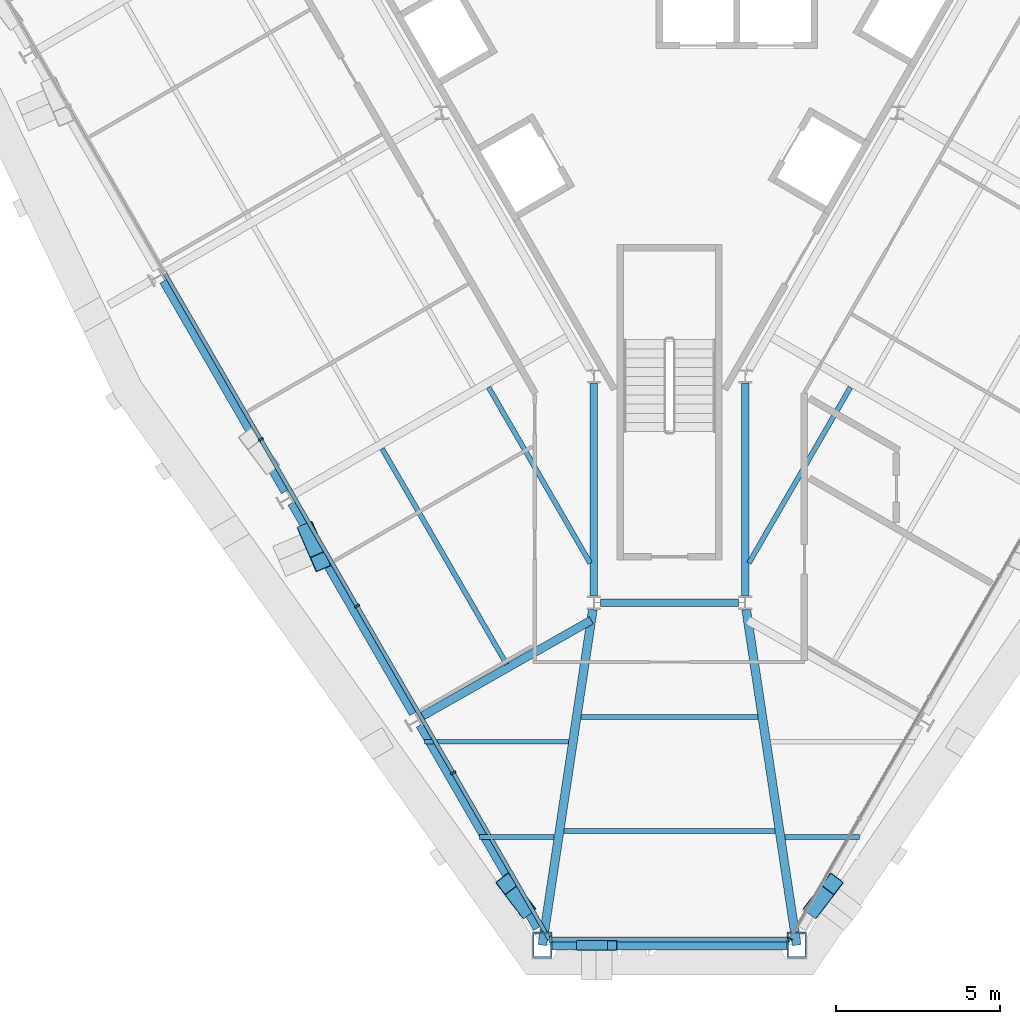
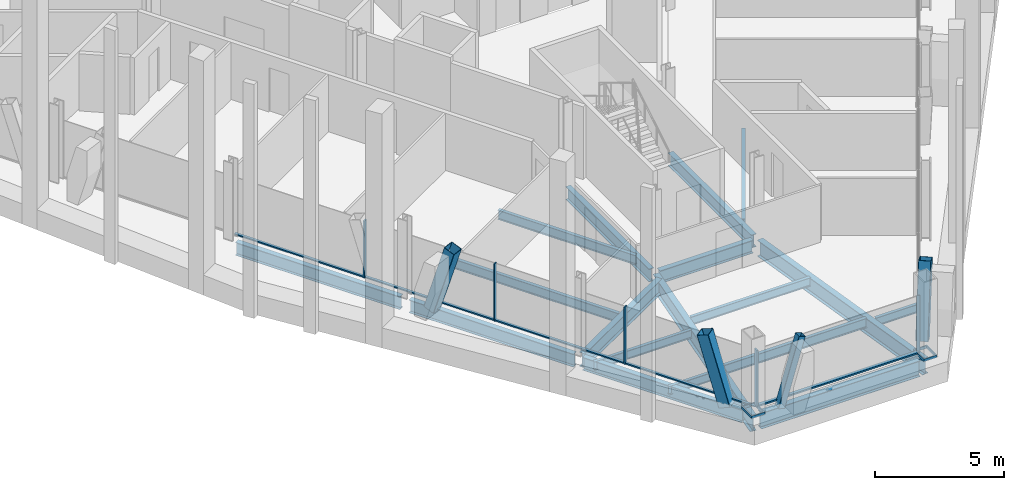
# One storey, part 3 of 17: 18 beams, 16 members, 3 elements without a shape of their own.
"""IFC4 building model written with IfcOpenShell, lengths in metres."""

import ifcopenshell
import ifcopenshell.guid

model = None  # the IFC model being written
_history = None  # IfcOwnerHistory: only IFC2X3 demands one
_inside = {}  # id of a spatial element -> (the spatial element, [elements in it])
_under = {}  # id of a project, library or spatial element -> (it, [spatial elements below it])
_declared = {}  # id of a project -> (the project, [libraries it declares])
_typed = {}  # id of a type object -> (the type object, [elements of that type])
_made_of = {}  # id of a material, layer set ... -> (it, [elements and type objects made of it])


def new_model(schema):
    """Start an empty IFC model of exactly this schema.

    Asked for "IFC4X3", IfcOpenShell would pick the latest addendum, in which some entities
    have other attributes; the version numbers below select the first issue.
    IFC2X3 requires an IfcOwnerHistory on every rooted entity: one is made here for all.
    """
    global model, _history
    if schema == "IFC4X3":
        model = ifcopenshell.file(schema_version=(4, 3, 0, 0))
    else:
        model = ifcopenshell.file(schema=schema)
    _inside.clear()
    _under.clear()
    _declared.clear()
    _typed.clear()
    _made_of.clear()
    _history = None
    if model.schema == "IFC2X3":
        org = make("IfcOrganization", Name="unknown")
        user = make(
            "IfcPersonAndOrganization",
            ThePerson=make("IfcPerson", FamilyName="unknown"),
            TheOrganization=org,
        )
        app = make(
            "IfcApplication",
            ApplicationDeveloper=org,
            Version="unknown",
            ApplicationFullName="unknown",
            ApplicationIdentifier="unknown",
        )
        _history = make(
            "IfcOwnerHistory",
            OwningUser=user,
            OwningApplication=app,
            ChangeAction="ADDED",
            CreationDate=0,
        )
    return model


def make(cls, **values):
    """One entity of the class cls with the attributes given. An attribute that is None is left unset."""
    return model.create_entity(
        cls, **{name: value for name, value in values.items() if value is not None}
    )


def rooted(cls, **values):
    """An entity with a GlobalId (a new one), such as an element, a storey or a relation."""
    return make(cls, GlobalId=ifcopenshell.guid.new(), OwnerHistory=_history, **values)


def si_unit(unit_type, name, prefix=None):
    """IfcSIUnit, for example si_unit("LENGTHUNIT", "METRE", prefix="MILLI")."""
    return make("IfcSIUnit", UnitType=unit_type, Prefix=prefix, Name=name)


def assignment(units):
    """IfcUnitAssignment: the units of a project."""
    return None if units is None else make("IfcUnitAssignment", Units=units)


def point(xyz):
    """IfcCartesianPoint."""
    return None if xyz is None else make("IfcCartesianPoint", Coordinates=xyz)


def direction(xyz):
    """IfcDirection."""
    return None if xyz is None else make("IfcDirection", DirectionRatios=xyz)


def frame(location, z_axis=None, x_axis=None):
    """IfcAxis2Placement3D, a coordinate frame: its origin and axes. An axis left out is left unset."""
    return make(
        "IfcAxis2Placement3D",
        Location=point(location),
        Axis=direction(z_axis),
        RefDirection=direction(x_axis),
    )


def frame_2d(location, x_axis=None):
    """IfcAxis2Placement2D, a coordinate frame in the plane: its origin and x axis."""
    return make(
        "IfcAxis2Placement2D", Location=point(location), RefDirection=direction(x_axis)
    )


def origin():
    """The frame at (0, 0, 0) with its axes left unset."""
    return frame((0.0, 0.0, 0.0))


def origin_2d():
    """The frame at (0, 0) in the plane with its x axis left unset."""
    return frame_2d((0.0, 0.0))


def place(relative_to, where):
    """IfcLocalPlacement: puts the frame where relative to a parent placement (None: the world)."""
    return make(
        "IfcLocalPlacement", PlacementRelTo=relative_to, RelativePlacement=where
    )


def context(
    kind, dimensions, precision=None, world=None, true_north=None, identifier=None
):
    """IfcGeometricRepresentationContext, for example the 3D "Model" context."""
    return make(
        "IfcGeometricRepresentationContext",
        ContextIdentifier=identifier,
        ContextType=kind,
        CoordinateSpaceDimension=dimensions,
        Precision=precision,
        WorldCoordinateSystem=world,
        TrueNorth=true_north,
    )


def subcontext(parent, identifier, kind, view, scale=None):
    """IfcGeometricRepresentationSubContext, for example "Body" below "Model"."""
    return make(
        "IfcGeometricRepresentationSubContext",
        ContextIdentifier=identifier,
        ContextType=kind,
        ParentContext=parent,
        TargetScale=scale,
        TargetView=view,
    )


def project(units=None, contexts=None):
    """IfcProject with its units and contexts."""
    return rooted(
        "IfcProject",
        Name="project",
        RepresentationContexts=contexts,
        UnitsInContext=assignment(units),
    )


def spatial(cls, under=None, at=None, **own):
    """A site, building, storey or space (cls), placed at a placement, below another one or the project."""
    s = rooted(cls, ObjectPlacement=at, **own)
    if under is not None:
        _under.setdefault(under.id(), (under, []))[1].append(s)
    return s


def profile(cls, at=None, kind="AREA", **sizes):
    """A parametric profile (cls). Its sizes go by their IFC names, for example OverallWidth=200.0."""
    return make(cls, ProfileType=kind, Position=at, **sizes)


def rectangle(**sizes):
    """IfcRectangleProfileDef."""
    return profile("IfcRectangleProfileDef", **sizes)


def hollow_rectangle(**sizes):
    """IfcRectangleHollowProfileDef."""
    return profile("IfcRectangleHollowProfileDef", **sizes)


def i_section(**sizes):
    """IfcIShapeProfileDef."""
    return profile("IfcIShapeProfileDef", **sizes)


def extrude(swept, where, along, depth):
    """IfcExtrudedAreaSolid: the profile swept, set in the frame where, extruded along a direction by depth."""
    return make(
        "IfcExtrudedAreaSolid",
        SweptArea=swept,
        Position=where,
        ExtrudedDirection=direction(along),
        Depth=depth,
    )


def shape(context_of_items, identifier, shape_type, items):
    """IfcShapeRepresentation: the items that make up one representation, for example the "Body"."""
    return make(
        "IfcShapeRepresentation",
        ContextOfItems=context_of_items,
        RepresentationIdentifier=identifier,
        RepresentationType=shape_type,
        Items=items,
    )


def material(Name=None, Category=None):
    """IfcMaterial."""
    return make("IfcMaterial", Name=Name, Category=Category)


def material_profile(
    of_material, cross_section, Name=None, Category=None, Priority=None
):
    """IfcMaterialProfile: a cross section and its material."""
    return make(
        "IfcMaterialProfile",
        Name=Name,
        Material=of_material,
        Profile=cross_section,
        Priority=Priority,
        Category=Category,
    )


def profile_set(profiles, Name=None, composite=None):
    """IfcMaterialProfileSet."""
    return make(
        "IfcMaterialProfileSet",
        Name=Name,
        MaterialProfiles=profiles,
        CompositeProfile=composite,
    )


def made_of(thing, what):
    """Note that an element or type object is made of a material, layer set ...; save() writes the relation."""
    if what is not None:
        _made_of.setdefault(what.id(), (what, []))[1].append(thing)
    return thing


def type_object(cls, material=None, **own):
    """A type object (cls), such as IfcWallType, which elements share."""
    return made_of(rooted(cls, **own), material)


def element(
    cls,
    number,
    at=None,
    inside=None,
    cuts=None,
    type_object=None,
    material=None,
    context=None,
    identifier="Body",
    shape_type=None,
    held_by="IfcProductDefinitionShape",
    body=None,
    shapes=None,
    **own,
):
    """One element of the class cls, such as IfcWall. Its Tag is "e" and its number.

    at: its placement. inside: the storey or other place that contains it. cuts: it is an
    opening in that element (IfcRelVoidsElement). A single representation is given by context,
    identifier, shape_type and body (its items); several are given by shapes. held_by: the class
    of the entity that holds the representations. save() writes the other relations.
    """
    e = rooted(cls, Tag="e%d" % number, ObjectPlacement=at, **own)
    if body is not None:
        shapes = [shape(context, identifier, shape_type, body)]
    if shapes is not None:
        e.Representation = make(held_by, Representations=shapes)
    if inside is not None:
        _inside.setdefault(inside.id(), (inside, []))[1].append(e)
    if cuts is not None:
        rooted(
            "IfcRelVoidsElement", RelatingBuildingElement=cuts, RelatedOpeningElement=e
        )
    if type_object is not None:
        _typed.setdefault(type_object.id(), (type_object, []))[1].append(e)
    return made_of(e, material)


def aggregate(whole, parts):
    """IfcRelAggregates: a whole, such as a stair, and the parts it consists of."""
    return rooted("IfcRelAggregates", RelatingObject=whole, RelatedObjects=parts)


def save(model, path):
    """Write the relations noted so far, then the file.

    IfcRelAggregates (storeys below a building ...), IfcRelContainedInSpatialStructure (elements
    in a storey), IfcRelDefinesByType, IfcRelAssociatesMaterial and IfcRelDeclares: one each for
    every whole, place, type object, material and project.
    """
    for whole, parts in _under.values():
        aggregate(whole, parts)
    for where, things in _inside.values():
        rooted(
            "IfcRelContainedInSpatialStructure",
            RelatedElements=things,
            RelatingStructure=where,
        )
    for kind, things in _typed.values():
        rooted("IfcRelDefinesByType", RelatedObjects=things, RelatingType=kind)
    for what, things in _made_of.values():
        rooted("IfcRelAssociatesMaterial", RelatedObjects=things, RelatingMaterial=what)
    for by, libraries in _declared.values():
        rooted("IfcRelDeclares", RelatingContext=by, RelatedDefinitions=libraries)
    model.write(path)


model = new_model("IFC4")

# Units and contexts
model_context = context("Model", 3, precision=1e-05, world=origin(), true_north=direction((0.0, 1.0)))
body_context = subcontext(model_context, "Body", "Model", "MODEL_VIEW")
ifc_project = project(units=[si_unit("LENGTHUNIT", "METRE"), si_unit("AREAUNIT", "SQUARE_METRE"), si_unit("VOLUMEUNIT", "CUBIC_METRE"), si_unit("PLANEANGLEUNIT", "RADIAN"), si_unit("MASSUNIT", "GRAM", prefix="KILO")], contexts=[model_context])

# Site, building, storey
site_placement = place(None, origin())
site = spatial("IfcSite", under=ifc_project, at=site_placement, CompositionType="ELEMENT")
building_placement = place(site_placement, origin())
building = spatial("IfcBuilding", under=site, at=building_placement, Name="Verrane Prism Tower", CompositionType="ELEMENT")
storey_placement = place(building_placement, frame((0.0, 0.0, 178.39990234375)))
storey = spatial("IfcBuildingStorey", under=building, at=storey_placement, Name="L44", CompositionType="ELEMENT", Elevation=178.39990234375)

# Member
ifc_material_1 = material(Name="Steel A500 Grade C", Category="steel")
ifc_material_profile_1 = material_profile(ifc_material_1, hollow_rectangle(XDim=0.3046875, YDim=0.3046875, WallThickness=0.0126953125, InnerFilletRadius=0.00634765625, OuterFilletRadius=0.01904296875, at=origin_2d()), Name="HSS12x12x1/2")
ifc_profile_set_1 = profile_set([ifc_material_profile_1], Name="Steel A500 Grade C")
member_type_1 = type_object("IfcMemberType", Name="Chamfer brace HSS12x12x1/2", PredefinedType="BRACE", material=ifc_profile_set_1)
member_1_placement = place(storey_placement, frame((-2.67578125, -29.320068359375, -0.242431640625), z_axis=(0.286291300619, 0.0, 0.958142625704), x_axis=(0.0, 1.0, 0.0)))
element("IfcMember", 1, at=member_1_placement, inside=storey, type_object=member_type_1, Name="Chamfer brace S0 L44", PredefinedType="BRACE", context=body_context, shape_type="SweptSolid", body=[
    extrude(hollow_rectangle(XDim=0.3046875, YDim=0.3046875, WallThickness=0.0126953125, InnerFilletRadius=0.00634765625, OuterFilletRadius=0.01904296875, at=origin_2d()), origin(), (0.0, 0.0, 1.0), 3.243896484375),
])

# Beams
ifc_material_2 = material(Name="Steel A992", Category="steel")
ifc_material_profile_2 = material_profile(ifc_material_2, i_section(OverallWidth=0.2666015625, OverallDepth=0.7568359375, WebThickness=0.013916015625, FlangeThickness=0.019287109375, FilletRadius=0.0166015625, at=origin_2d()), Name="W30x108")
ifc_profile_set_2 = profile_set([ifc_material_profile_2], Name="Steel A992")
beam_type_1 = type_object("IfcBeamType", Name="Chamfer spandrel beam W30x108", PredefinedType="SPANDREL", material=ifc_profile_set_2)
beam_1_placement = place(storey_placement, frame((-3.570068359375, -29.320068359375, -0.538330078125), z_axis=(1.0, 0.0, 0.0), x_axis=(0.0, 1.0, 0.0)))
element("IfcBeam", 2, at=beam_1_placement, inside=storey, type_object=beam_type_1, Name="Chamfer spandrel beam L44", PredefinedType="SPANDREL", context=body_context, shape_type="SweptSolid", body=[
    extrude(i_section(OverallWidth=0.2666015625, OverallDepth=0.7568359375, WebThickness=0.013916015625, FlangeThickness=0.019287109375, FilletRadius=0.0166015625, at=origin_2d()), origin(), (0.0, 0.0, 1.0), 7.14013671875),
])
ifc_material_3 = material(Name="Steel A992", Category="steel")
ifc_material_profile_3 = material_profile(ifc_material_3, i_section(OverallWidth=0.23046875, OverallDepth=0.6171875, WebThickness=0.01318359375, FlangeThickness=0.022216796875, FilletRadius=0.012939453125, at=origin_2d()), Name="W24x94")
ifc_profile_set_3 = profile_set([ifc_material_profile_3], Name="Steel A992")
beam_type_2 = type_object("IfcBeamType", Name="Core ring girder W24x94", PredefinedType="BEAM", material=ifc_profile_set_3)
beam_2_placement = place(storey_placement, frame((-2.300048828125, -12.219482421875, -0.55859375), z_axis=(0.0, -1.0, 0.0), x_axis=(1.0, 0.0, 0.0)))
element("IfcBeam", 3, at=beam_2_placement, inside=storey, type_object=beam_type_2, Name="Core ring girder L44", PredefinedType="BEAM", context=body_context, shape_type="SweptSolid", body=[
    extrude(i_section(OverallWidth=0.23046875, OverallDepth=0.6171875, WebThickness=0.01318359375, FlangeThickness=0.022216796875, FilletRadius=0.012939453125, at=origin_2d()), origin(), (0.0, 0.0, 1.0), 6.47216796875),
])
beam_3_placement = place(storey_placement, frame((-2.0966796875, -18.89990234375, -0.55859375), z_axis=(1.0, 0.0, 0.0), x_axis=(0.0, 1.0, 0.0)))
element("IfcBeam", 4, at=beam_3_placement, inside=storey, type_object=beam_type_2, Name="Core ring girder L44", PredefinedType="BEAM", context=body_context, shape_type="SweptSolid", body=[
    extrude(i_section(OverallWidth=0.23046875, OverallDepth=0.6171875, WebThickness=0.01318359375, FlangeThickness=0.022216796875, FilletRadius=0.012939453125, at=origin_2d()), origin(), (0.0, 0.0, 1.0), 4.193359375),
])
beam_4_placement = place(storey_placement, frame((2.300048828125, -18.691650390625, -0.55859375), z_axis=(0.0, 1.0, 0.0), x_axis=(-1.0, 0.0, 0.0)))
element("IfcBeam", 5, at=beam_4_placement, inside=storey, type_object=beam_type_2, Name="Core ring girder L44", PredefinedType="BEAM", context=body_context, shape_type="SweptSolid", body=[
    extrude(i_section(OverallWidth=0.23046875, OverallDepth=0.6171875, WebThickness=0.01318359375, FlangeThickness=0.022216796875, FilletRadius=0.012939453125, at=origin_2d()), origin(), (0.0, 0.0, 1.0), 6.47216796875),
])
ifc_material_4 = material(Name="Steel A992", Category="steel")
ifc_material_profile_4 = material_profile(ifc_material_4, i_section(OverallWidth=0.2666015625, OverallDepth=0.76708984375, WebThickness=0.014892578125, FlangeThickness=0.023681640625, FilletRadius=0.0166015625, at=origin_2d()), Name="W30x124")
ifc_profile_set_4 = profile_set([ifc_material_profile_4], Name="Steel A992")
beam_type_3 = type_object("IfcBeamType", Name="Corner girder W30x124", PredefinedType="BEAM", material=ifc_profile_set_4)
for number, where, z_axis, x_axis, name in (
    (6, (-3.869384765625, -29.315185546875, -0.603515625), (0.149010088195, 0.98883567574, 0.0), (-0.98883567574, 0.149010088195, 0.0), "Corner girder L44"),
    (7, (3.869384765625, -29.315185546875, -0.603515625), (-0.149010088195, 0.98883567574, 0.0), (-0.98883567574, -0.149010088195, 0.0), "Corner girder L44"),
):
    element("IfcBeam", number, at=place(storey_placement, frame(where, z_axis=z_axis, x_axis=x_axis)), inside=storey, type_object=beam_type_3, Name=name, PredefinedType="BEAM", context=body_context, shape_type="SweptSolid", body=[
        extrude(i_section(OverallWidth=0.2666015625, OverallDepth=0.76708984375, WebThickness=0.014892578125, FlangeThickness=0.023681640625, FilletRadius=0.0166015625, at=origin_2d()), origin(), (0.0, 0.0, 1.0), 10.322021484375),
    ])

# Members
ifc_material_5 = material(Name="Steel A500 Grade C", Category="steel")
ifc_material_profile_5 = material_profile(ifc_material_5, hollow_rectangle(XDim=0.508056640625, YDim=0.508056640625, WallThickness=0.01904296875, InnerFilletRadius=0.009521484375, OuterFilletRadius=0.028564453125, at=origin_2d()), Name="HSS20x20x3/4")
ifc_profile_set_5 = profile_set([ifc_material_profile_5], Name="Steel A500 Grade C")
member_type_2 = type_object("IfcMemberType", Name="Facade brace HSS20x20x3/4", PredefinedType="BRACE", material=ifc_profile_set_5)
member_2_placement = place(storey_placement, frame((-11.005126953125, -16.734130859375, -0.216552734375), z_axis=(0.117509964597, -0.272731072395, 0.954886993508), x_axis=(0.918381033601, 0.395697203833, 0.0)))
element("IfcMember", 8, at=member_2_placement, inside=storey, type_object=member_type_2, Name="Facade brace SW4 L44", PredefinedType="BRACE", context=body_context, shape_type="SweptSolid", body=[
    extrude(hollow_rectangle(XDim=0.508056640625, YDim=0.508056640625, WallThickness=0.01904296875, InnerFilletRadius=0.009521484375, OuterFilletRadius=0.028564453125, at=origin_2d()), origin(), (0.0, 0.0, 1.0), 3.346923828125),
])
for number, where, z_axis, x_axis, name in (
    (9, (-4.396728515625, -28.176513671875, -0.216552734375), (-0.16683955322, 0.219197212307, 0.961310119367), (-0.795725355931, -0.605657624347, 0.0), "Facade brace SW5 L44"),
    (10, (4.396728515625, -28.176513671875, -0.216552734375), (0.16683955322, 0.219197212307, 0.961310119367), (-0.795725355931, 0.605657624347, 0.0), "Facade brace SE0 L44"),
):
    element("IfcMember", number, at=place(storey_placement, frame(where, z_axis=z_axis, x_axis=x_axis)), inside=storey, type_object=member_type_2, Name=name, PredefinedType="BRACE", context=body_context, shape_type="SweptSolid", body=[
        extrude(hollow_rectangle(XDim=0.508056640625, YDim=0.508056640625, WallThickness=0.01904296875, InnerFilletRadius=0.009521484375, OuterFilletRadius=0.028564453125, at=origin_2d()), origin(), (0.0, 0.0, 1.0), 3.32470703125),
    ])

# Beams
ifc_material_6 = material(Name="Steel A992", Category="steel")
ifc_material_profile_6 = material_profile(ifc_material_6, i_section(OverallWidth=0.140380859375, OverallDepth=0.40380859375, WebThickness=0.007080078125, FlangeThickness=0.01123046875, FilletRadius=0.01025390625, at=origin_2d()), Name="W16x31")
ifc_profile_set_6 = profile_set([ifc_material_profile_6], Name="Steel A992")
beam_type_4 = type_object("IfcBeamType", Name="Floor beam W16x31", PredefinedType="BEAM", material=ifc_profile_set_6)
beam_5_placement = place(storey_placement, frame((-5.77392578125, -26.023193359375, -0.36181640625), z_axis=(1.0, 0.0, 0.0), x_axis=(0.0, 1.0, 0.0)))
element("IfcBeam", 11, at=beam_5_placement, inside=storey, type_object=beam_type_4, Name="Floor beam L44", PredefinedType="BEAM", context=body_context, shape_type="SweptSolid", body=[
    extrude(i_section(OverallWidth=0.140380859375, OverallDepth=0.40380859375, WebThickness=0.007080078125, FlangeThickness=0.01123046875, FilletRadius=0.01025390625, at=origin_2d()), origin(), (0.0, 0.0, 1.0), 2.265625),
])
beam_6_placement = place(storey_placement, frame((-7.447021484375, -23.126708984375, -0.36181640625), z_axis=(1.0, 0.0, 0.0), x_axis=(0.0, 1.0, 0.0)))
element("IfcBeam", 12, at=beam_6_placement, inside=storey, type_object=beam_type_4, Name="Floor beam L44", PredefinedType="BEAM", context=body_context, shape_type="SweptSolid", body=[
    extrude(i_section(OverallWidth=0.140380859375, OverallDepth=0.40380859375, WebThickness=0.007080078125, FlangeThickness=0.01123046875, FilletRadius=0.01025390625, at=origin_2d()), origin(), (0.0, 0.0, 1.0), 4.375),
])
beam_7_placement = place(storey_placement, frame((3.50830078125, -26.023193359375, -0.36181640625), z_axis=(1.0, 0.0, 0.0), x_axis=(0.0, 1.0, 0.0)))
element("IfcBeam", 13, at=beam_7_placement, inside=storey, type_object=beam_type_4, Name="Floor beam L44", PredefinedType="BEAM", context=body_context, shape_type="SweptSolid", body=[
    extrude(i_section(OverallWidth=0.140380859375, OverallDepth=0.40380859375, WebThickness=0.007080078125, FlangeThickness=0.01123046875, FilletRadius=0.01025390625, at=origin_2d()), origin(), (0.0, 0.0, 1.0), 2.265625),
])
beam_8_placement = place(storey_placement, frame((-2.6884765625, -22.373291015625, -0.36181640625), z_axis=(1.0, 0.0, 0.0), x_axis=(0.0, 1.0, 0.0)))
element("IfcBeam", 14, at=beam_8_placement, inside=storey, type_object=beam_type_4, Name="Floor beam L44", PredefinedType="BEAM", context=body_context, shape_type="SweptSolid", body=[
    extrude(i_section(OverallWidth=0.140380859375, OverallDepth=0.40380859375, WebThickness=0.007080078125, FlangeThickness=0.01123046875, FilletRadius=0.01025390625, at=origin_2d()), origin(), (0.0, 0.0, 1.0), 5.376953125),
])
ifc_material_7 = material(Name="Steel A992", Category="steel")
ifc_material_profile_7 = material_profile(ifc_material_7, i_section(OverallWidth=0.15234375, OverallDepth=0.449462890625, WebThickness=0.007568359375, FlangeThickness=0.0107421875, FilletRadius=0.01025390625, at=origin_2d()), Name="W18x35")
ifc_profile_set_7 = profile_set([ifc_material_profile_7], Name="Steel A992")
beam_type_5 = type_object("IfcBeamType", Name="Floor beam W18x35", PredefinedType="BEAM", material=ifc_profile_set_7)
beam_9_placement = place(storey_placement, frame((-2.4150390625, -17.693603515625, -0.384765625), z_axis=(-0.499998733127, 0.866026135213, 0.0), x_axis=(-0.866026135213, -0.499998733127, 0.0)))
element("IfcBeam", 15, at=beam_9_placement, inside=storey, type_object=beam_type_5, Name="Floor beam L44", PredefinedType="BEAM", context=body_context, shape_type="SweptSolid", body=[
    extrude(i_section(OverallWidth=0.15234375, OverallDepth=0.449462890625, WebThickness=0.007568359375, FlangeThickness=0.0107421875, FilletRadius=0.01025390625, at=origin_2d()), origin(), (0.0, 0.0, 1.0), 6.17041015625),
])
beam_10_placement = place(storey_placement, frame((-4.954345703125, -20.770751953125, -0.384765625), z_axis=(-0.500013012896, 0.866017890655, 0.0), x_axis=(-0.866017890655, -0.500013012896, 0.0)))
element("IfcBeam", 16, at=beam_10_placement, inside=storey, type_object=beam_type_5, Name="Floor beam L44", PredefinedType="BEAM", context=body_context, shape_type="SweptSolid", body=[
    extrude(i_section(OverallWidth=0.15234375, OverallDepth=0.449462890625, WebThickness=0.007568359375, FlangeThickness=0.0107421875, FilletRadius=0.01025390625, at=origin_2d()), origin(), (0.0, 0.0, 1.0), 7.564208984375),
])
beam_11_placement = place(storey_placement, frame((2.4150390625, -17.693603515625, -0.384765625), z_axis=(0.499998733127, 0.866026135213, 0.0), x_axis=(-0.866026135213, 0.499998733127, 0.0)))
element("IfcBeam", 17, at=beam_11_placement, inside=storey, type_object=beam_type_5, Name="Floor beam L44", PredefinedType="BEAM", context=body_context, shape_type="SweptSolid", body=[
    extrude(i_section(OverallWidth=0.15234375, OverallDepth=0.449462890625, WebThickness=0.007568359375, FlangeThickness=0.0107421875, FilletRadius=0.01025390625, at=origin_2d()), origin(), (0.0, 0.0, 1.0), 6.17041015625),
])
beam_12_placement = place(storey_placement, frame((-3.211669921875, -25.8466796875, -0.384765625), z_axis=(1.0, 0.0, 0.0), x_axis=(0.0, 1.0, 0.0)))
element("IfcBeam", 18, at=beam_12_placement, inside=storey, type_object=beam_type_5, Name="Floor beam L44", PredefinedType="BEAM", context=body_context, shape_type="SweptSolid", body=[
    extrude(i_section(OverallWidth=0.15234375, OverallDepth=0.449462890625, WebThickness=0.007568359375, FlangeThickness=0.0107421875, FilletRadius=0.01025390625, at=origin_2d()), origin(), (0.0, 0.0, 1.0), 6.42333984375),
])

# Members
ifc_material_8 = material(Name="Steel A572 Grade 50", Category="steel")
ifc_material_profile_8 = material_profile(ifc_material_8, hollow_rectangle(XDim=0.60009765625, YDim=0.800048828125, WallThickness=0.050048828125, at=origin_2d()), Name="BOX 800x600x50")
ifc_profile_set_8 = profile_set([ifc_material_profile_8], Name="Steel A572 Grade 50")
member_type_3 = type_object("IfcMemberType", Name="Kink node BOX 800x600x50", PredefinedType="COLLAR", material=ifc_profile_set_8)
for number, where, z_axis, x_axis, name in (
    (19, (-3.866455078125, -29.313720703125, -0.06494140625), (0.0, 0.0, 1.0), (-1.0, 0.0, 0.0), "Kink node MC4 L44"),
    (20, (3.866455078125, -29.313720703125, -0.06494140625), (0.0, 0.0, 1.0), (-1.0, 0.0, 0.0), "Kink node MC4 L44"),
):
    element("IfcMember", number, at=place(storey_placement, frame(where, z_axis=z_axis, x_axis=x_axis)), inside=storey, type_object=member_type_3, Name=name, PredefinedType="COLLAR", context=body_context, shape_type="SweptSolid", body=[
        extrude(hollow_rectangle(XDim=0.60009765625, YDim=0.800048828125, WallThickness=0.050048828125, at=origin_2d()), origin(), (0.0, 0.0, 1.0), 0.130126953125),
    ])

# Curtain wall, member
ifc_material_9 = material(Name="Aluminium framed insulated glazing", Category="aluminium")
curtain_wall_type_1 = type_object("IfcCurtainWallType", Name="Curtain wall CW-C 4200 module", PredefinedType="NOTDEFINED", material=ifc_material_9)
curtain_wall_1_placement = place(storey_placement, origin())
curtain_wall_1 = element("IfcCurtainWall", 21, at=curtain_wall_1_placement, inside=storey, type_object=curtain_wall_type_1, Name="Glazed curtain wall south-east face L44", PredefinedType="NOTDEFINED")
ifc_material_10 = material(Name="Aluminium alloy 6063-T6", Category="aluminium")
ifc_material_profile_9 = material_profile(ifc_material_10, rectangle(XDim=0.139892578125, YDim=0.050048828125, at=origin_2d()), Name="Mullion 50x140 aluminium")
ifc_profile_set_9 = profile_set([ifc_material_profile_9], Name="Aluminium alloy 6063-T6")
member_type_4 = type_object("IfcMemberType", Name="Mullion 50x140 aluminium", PredefinedType="MULLION", material=ifc_profile_set_9)
member_3_placement = place(storey_placement, frame((3.663818359375, -29.1162109375, 0.0), z_axis=(0.0, 0.0, 1.0), x_axis=(-0.866025734201, 0.499999427701, 0.0)))
member_3 = element("IfcMember", 22, at=member_3_placement, type_object=member_type_4, Name="CW44.6 mullion 1", PredefinedType="MULLION", context=body_context, shape_type="SweptSolid", body=[
    extrude(rectangle(XDim=0.139892578125, YDim=0.050048828125, at=origin_2d()), origin(), (0.0, 0.0, 1.0), 2.712890625),
])
aggregate(curtain_wall_1, [member_3])

# Curtain wall, members
ifc_material_11 = material(Name="Aluminium framed insulated glazing", Category="aluminium")
curtain_wall_type_2 = type_object("IfcCurtainWallType", Name="Curtain wall CW-B 5600 module", PredefinedType="NOTDEFINED", material=ifc_material_11)
curtain_wall_2_placement = place(storey_placement, origin())
curtain_wall_2 = element("IfcCurtainWall", 23, at=curtain_wall_2_placement, inside=storey, type_object=curtain_wall_type_2, Name="Glazed curtain wall south-west face L44", PredefinedType="NOTDEFINED")
ifc_material_12 = material(Name="Aluminium alloy 6063-T6", Category="aluminium")
ifc_material_profile_10 = material_profile(ifc_material_12, rectangle(XDim=0.159912109375, YDim=0.06005859375, at=origin_2d()), Name="Mullion 60x160 aluminium")
ifc_profile_set_10 = profile_set([ifc_material_profile_10], Name="Aluminium alloy 6063-T6")
member_type_5 = type_object("IfcMemberType", Name="Mullion 60x160 aluminium", PredefinedType="MULLION", material=ifc_profile_set_10)
member_4_placement = place(storey_placement, frame((-12.429443359375, -13.93359375, 0.0), z_axis=(0.0, 0.0, 1.0), x_axis=(0.866025734201, 0.499999427701, 0.0)))
member_4 = element("IfcMember", 24, at=member_4_placement, type_object=member_type_5, Name="CW44.4 mullion 6", PredefinedType="MULLION", context=body_context, shape_type="SweptSolid", body=[
    extrude(rectangle(XDim=0.159912109375, YDim=0.06005859375, at=origin_2d()), origin(), (0.0, 0.0, 1.0), 2.712890625),
])
member_5_placement = place(storey_placement, frame((-9.50341796875, -19.001708984375, 0.0), z_axis=(0.0, 0.0, 1.0), x_axis=(0.866025734201, 0.499999427701, 0.0)))
member_5 = element("IfcMember", 25, at=member_5_placement, type_object=member_type_5, Name="CW44.4 mullion 7", PredefinedType="MULLION", context=body_context, shape_type="SweptSolid", body=[
    extrude(rectangle(XDim=0.159912109375, YDim=0.06005859375, at=origin_2d()), origin(), (0.0, 0.0, 1.0), 2.712890625),
])
member_6_placement = place(storey_placement, frame((-6.577392578125, -24.06982421875, 0.0), z_axis=(0.0, 0.0, 1.0), x_axis=(0.866025734201, 0.499999427701, 0.0)))
member_6 = element("IfcMember", 26, at=member_6_placement, type_object=member_type_5, Name="CW44.4 mullion 8", PredefinedType="MULLION", context=body_context, shape_type="SweptSolid", body=[
    extrude(rectangle(XDim=0.159912109375, YDim=0.06005859375, at=origin_2d()), origin(), (0.0, 0.0, 1.0), 2.712890625),
])

# Curtain wall, member
ifc_material_13 = material(Name="Aluminium framed insulated glazing", Category="aluminium")
curtain_wall_type_3 = type_object("IfcCurtainWallType", Name="Curtain wall CW-A 8400 module", PredefinedType="NOTDEFINED", material=ifc_material_13)
curtain_wall_3_placement = place(storey_placement, origin())
curtain_wall_3 = element("IfcCurtainWall", 27, at=curtain_wall_3_placement, inside=storey, type_object=curtain_wall_type_3, Name="Glazed curtain wall south corner L44", PredefinedType="NOTDEFINED")
ifc_material_14 = material(Name="Aluminium alloy 6063-T6", Category="aluminium")
ifc_material_profile_11 = material_profile(ifc_material_14, rectangle(XDim=0.199951171875, YDim=0.070068359375, at=origin_2d()), Name="Mullion 70x200 aluminium")
ifc_profile_set_11 = profile_set([ifc_material_profile_11], Name="Aluminium alloy 6063-T6")
member_type_6 = type_object("IfcMemberType", Name="Mullion 70x200 aluminium", PredefinedType="MULLION", material=ifc_profile_set_11)
member_7_placement = place(storey_placement, frame((-3.6162109375, -29.1376953125, 0.0), z_axis=(0.0, 0.0, 1.0), x_axis=(0.0, 1.0, 0.0)))
member_7 = element("IfcMember", 28, at=member_7_placement, type_object=member_type_6, Name="CW44.5 mullion 1", PredefinedType="MULLION", context=body_context, shape_type="SweptSolid", body=[
    extrude(rectangle(XDim=0.199951171875, YDim=0.070068359375, at=origin_2d()), origin(), (0.0, 0.0, 1.0), 2.712890625),
])

# Beams
ifc_material_15 = material(Name="Steel A992", Category="steel")
ifc_material_profile_12 = material_profile(ifc_material_15, i_section(OverallWidth=0.25390625, OverallDepth=0.683349609375, WebThickness=0.012451171875, FlangeThickness=0.01904296875, FilletRadius=0.01513671875, at=origin_2d()), Name="W27x94")
ifc_profile_set_12 = profile_set([ifc_material_profile_12], Name="Steel A992")
beam_type_6 = type_object("IfcBeamType", Name="Radial girder W27x94", PredefinedType="BEAM", material=ifc_profile_set_12)
beam_13_placement = place(storey_placement, frame((-7.521484375, -22.349853515625, -0.5615234375), z_axis=(0.869728557834, 0.493530379701, 0.0), x_axis=(-0.493530379701, 0.869728557834, 0.0)))
element("IfcBeam", 29, at=beam_13_placement, inside=storey, type_object=beam_type_6, Name="Radial girder L44", PredefinedType="BEAM", context=body_context, shape_type="SweptSolid", body=[
    extrude(i_section(OverallWidth=0.25390625, OverallDepth=0.683349609375, WebThickness=0.012451171875, FlangeThickness=0.01904296875, FilletRadius=0.01513671875, at=origin_2d()), origin(), (0.0, 0.0, 1.0), 5.911376953125),
])
ifc_material_16 = material(Name="Steel A992", Category="steel")
ifc_material_profile_13 = material_profile(ifc_material_16, i_section(OverallWidth=0.23046875, OverallDepth=0.6171875, WebThickness=0.01318359375, FlangeThickness=0.022216796875, FilletRadius=0.012939453125, at=origin_2d()), Name="W24x94")
ifc_profile_set_13 = profile_set([ifc_material_profile_13], Name="Steel A992")
beam_type_7 = type_object("IfcBeamType", Name="Spandrel beam W24x94", PredefinedType="SPANDREL", material=ifc_profile_set_13)
beam_14_placement = place(storey_placement, frame((-15.397705078125, -9.126708984375, -0.468505859375), z_axis=(0.500008425378, -0.866020539336, 0.0), x_axis=(0.866020539336, 0.500008425378, 0.0)))
element("IfcBeam", 30, at=beam_14_placement, inside=storey, type_object=beam_type_7, Name="Spandrel beam L44", PredefinedType="SPANDREL", context=body_context, shape_type="SweptSolid", body=[
    extrude(i_section(OverallWidth=0.23046875, OverallDepth=0.6171875, WebThickness=0.01318359375, FlangeThickness=0.022216796875, FilletRadius=0.012939453125, at=origin_2d()), origin(), (0.0, 0.0, 1.0), 7.389892578125),
])
beam_15_placement = place(storey_placement, frame((-11.49951171875, -15.87841796875, -0.468505859375), z_axis=(0.500119048086, -0.865956660429, 0.0), x_axis=(0.865956660429, 0.500119048086, 0.0)))
element("IfcBeam", 31, at=beam_15_placement, inside=storey, type_object=beam_type_7, Name="Spandrel beam L44", PredefinedType="SPANDREL", context=body_context, shape_type="SweptSolid", body=[
    extrude(i_section(OverallWidth=0.23046875, OverallDepth=0.6171875, WebThickness=0.01318359375, FlangeThickness=0.022216796875, FilletRadius=0.012939453125, at=origin_2d()), origin(), (0.0, 0.0, 1.0), 7.388916015625),
])
beam_16_placement = place(storey_placement, frame((-7.600830078125, -22.628662109375, -0.468505859375), z_axis=(0.500097885502, -0.865968882187, 0.0), x_axis=(0.865968882187, 0.500097885502, 0.0)))
element("IfcBeam", 32, at=beam_16_placement, inside=storey, type_object=beam_type_7, Name="Spandrel beam L44", PredefinedType="SPANDREL", context=body_context, shape_type="SweptSolid", body=[
    extrude(i_section(OverallWidth=0.23046875, OverallDepth=0.6171875, WebThickness=0.01318359375, FlangeThickness=0.022216796875, FilletRadius=0.012939453125, at=origin_2d()), origin(), (0.0, 0.0, 1.0), 7.1298828125),
])

# Member
ifc_material_17 = material(Name="Aluminium alloy 6063-T6", Category="aluminium")
ifc_material_profile_14 = material_profile(ifc_material_17, rectangle(XDim=0.1201171875, YDim=0.06005859375, at=origin_2d()), Name="Transom 60x120 aluminium")
ifc_profile_set_14 = profile_set([ifc_material_profile_14], Name="Aluminium alloy 6063-T6")
member_type_7 = type_object("IfcMemberType", Name="Transom 60x120 aluminium", PredefinedType="USERDEFINED", material=ifc_profile_set_14)
member_8_placement = place(storey_placement, frame((-15.340576171875, -8.8916015625, 0.030029296875), z_axis=(0.500024068525, -0.866011507369, 0.0), x_axis=(0.866011507369, 0.500024068525, 0.0)))
member_8 = element("IfcMember", 33, at=member_8_placement, type_object=member_type_7, Name="CW44.4 transom 5", ObjectType="TRANSOM", PredefinedType="USERDEFINED", context=body_context, shape_type="SweptSolid", body=[
    extrude(rectangle(XDim=0.1201171875, YDim=0.06005859375, at=origin_2d()), origin(), (0.0, 0.0, 1.0), 5.792236328125),
])

member_9_placement = place(storey_placement, frame((-12.41455078125, -13.95947265625, 0.030029296875), z_axis=(0.500024068525, -0.866011507369, 0.0), x_axis=(0.866011507369, 0.500024068525, 0.0)))
member_9 = element("IfcMember", 34, at=member_9_placement, type_object=member_type_7, Name="CW44.4 transom 6", ObjectType="TRANSOM", PredefinedType="USERDEFINED", context=body_context, shape_type="SweptSolid", body=[
    extrude(rectangle(XDim=0.1201171875, YDim=0.06005859375, at=origin_2d()), origin(), (0.0, 0.0, 1.0), 5.792236328125),
])

member_10_placement = place(storey_placement, frame((-9.48828125, -19.027587890625, 0.030029296875), z_axis=(0.499992456128, -0.866029759197, 0.0), x_axis=(0.866029759197, 0.499992456128, 0.0)))
member_10 = element("IfcMember", 35, at=member_10_placement, type_object=member_type_7, Name="CW44.4 transom 7", ObjectType="TRANSOM", PredefinedType="USERDEFINED", context=body_context, shape_type="SweptSolid", body=[
    extrude(rectangle(XDim=0.1201171875, YDim=0.06005859375, at=origin_2d()), origin(), (0.0, 0.0, 1.0), 5.7919921875),
])

member_11_placement = place(storey_placement, frame((-6.562255859375, -24.095703125, 0.030029296875), z_axis=(0.499986231991, -0.866033352602, 0.0), x_axis=(0.866033352602, 0.499986231991, 0.0)))
member_11 = element("IfcMember", 36, at=member_11_placement, type_object=member_type_7, Name="CW44.4 transom 8", ObjectType="TRANSOM", PredefinedType="USERDEFINED", context=body_context, shape_type="SweptSolid", body=[
    extrude(rectangle(XDim=0.1201171875, YDim=0.06005859375, at=origin_2d()), origin(), (0.0, 0.0, 1.0), 5.822021484375),
])

aggregate(curtain_wall_2, [member_4, member_5, member_6, member_8, member_9, member_10, member_11])

ifc_material_18 = material(Name="Aluminium alloy 6063-T6", Category="aluminium")
ifc_material_profile_15 = material_profile(ifc_material_18, rectangle(XDim=0.14990234375, YDim=0.070068359375, at=origin_2d()), Name="Transom 70x150 aluminium")
ifc_profile_set_15 = profile_set([ifc_material_profile_15], Name="Aluminium alloy 6063-T6")
member_type_8 = type_object("IfcMemberType", Name="Transom 70x150 aluminium", PredefinedType="USERDEFINED", material=ifc_profile_set_15)
member_12_placement = place(storey_placement, frame((-3.581298828125, -29.1376953125, 0.03515625), z_axis=(1.0, 0.0, 0.0), x_axis=(0.0, 1.0, 0.0)))
member_12 = element("IfcMember", 37, at=member_12_placement, type_object=member_type_8, Name="CW44.5 transom 1", ObjectType="TRANSOM", PredefinedType="USERDEFINED", context=body_context, shape_type="SweptSolid", body=[
    extrude(rectangle(XDim=0.14990234375, YDim=0.070068359375, at=origin_2d()), origin(), (0.0, 0.0, 1.0), 7.232666015625),
])

aggregate(curtain_wall_3, [member_7, member_12])

save(model, "model.ifc")
